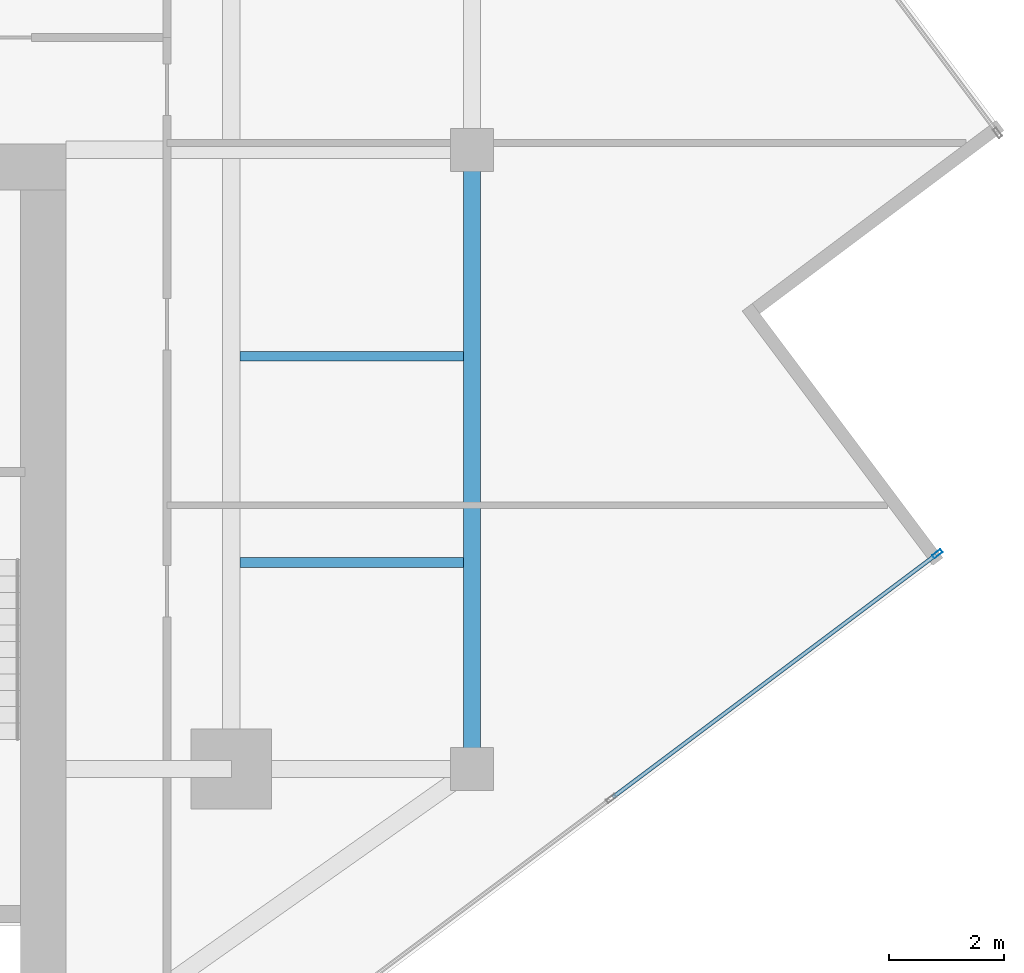
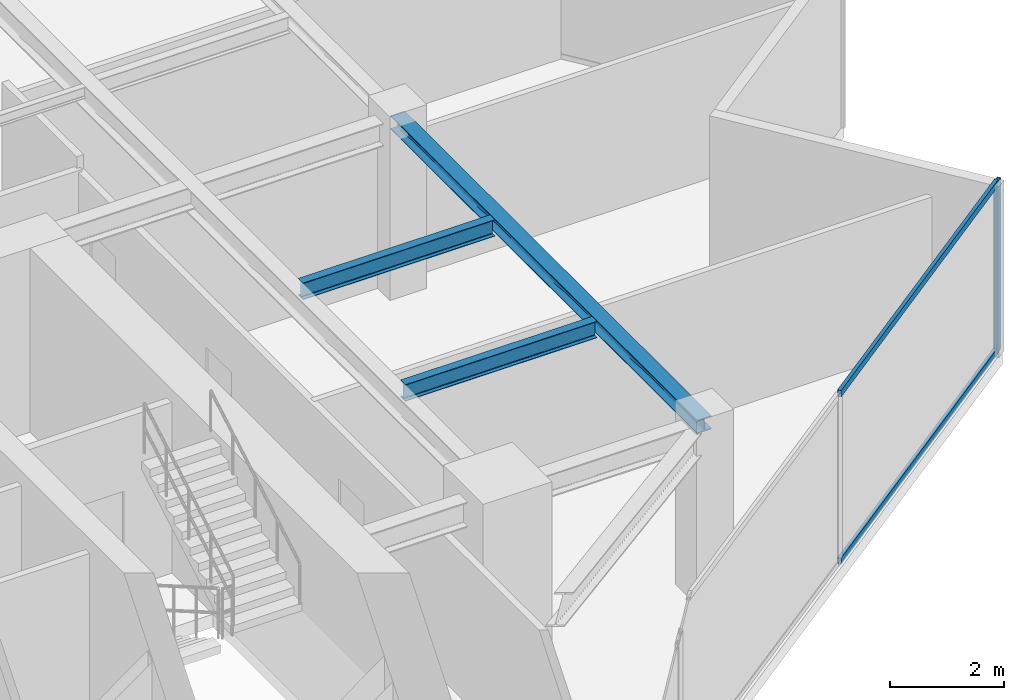
# One storey, part 8 of 21: 3 beams, 3 members, 1 element without a shape of its own.
"""IFC4 building model written with IfcOpenShell, lengths in metres."""

from ifc_helpers import new_model, si_unit, direction, frame, origin, origin_2d, place, context, subcontext, project, spatial, hollow_rectangle, i_section, extrude, source, transform, mapped, material, material_profile, profile_set, type_object, type_shapes, element, aggregate, save


model = new_model("IFC4")

# Units and contexts
model_context = context("Model", 3, precision=1e-05, world=origin(), true_north=direction((0.0, 1.0)))
body_context = subcontext(model_context, "Body", "Model", "MODEL_VIEW")
ifc_project = project(units=[si_unit("LENGTHUNIT", "METRE"), si_unit("AREAUNIT", "SQUARE_METRE"), si_unit("VOLUMEUNIT", "CUBIC_METRE"), si_unit("PLANEANGLEUNIT", "RADIAN"), si_unit("MASSUNIT", "GRAM", prefix="KILO")], contexts=[model_context])

# Site, building, storey
site_placement = place(None, origin())
site = spatial("IfcSite", under=ifc_project, at=site_placement, CompositionType="ELEMENT")
building_placement = place(site_placement, origin())
building = spatial("IfcBuilding", under=site, at=building_placement, Name="Krantzveldt Concourse Tower", CompositionType="ELEMENT")
storey_placement = place(building_placement, frame((0.0, 0.0, 267.39990234375)))
storey = spatial("IfcBuildingStorey", under=building, at=storey_placement, Name="L65", CompositionType="ELEMENT", Elevation=267.39990234375)

# Beams
ifc_material_1 = material(Name="Steel S355JR", Category="steel")
ifc_material_profile_1 = material_profile(ifc_material_1, i_section(OverallWidth=0.2900390625, OverallDepth=0.2900390625, WebThickness=0.008544921875, FlangeThickness=0.013916015625, FilletRadius=0.027099609375, at=origin_2d()), Name="Steel S355JR", Category="steel")
ifc_profile_set_1 = profile_set([ifc_material_profile_1], Name="Steel S355JR - HEA 300")
beam_type_1 = type_object("IfcBeamType", Name="BM-SP-HEA300", PredefinedType="SPANDREL", material=ifc_profile_set_1)
shared_shape_1 = source(origin(), body_context, "Body", "SweptSolid", [
    extrude(i_section(OverallWidth=0.2900390625, OverallDepth=0.2900390625, WebThickness=0.008544921875, FlangeThickness=0.013916015625, FilletRadius=0.027099609375, at=origin_2d()), origin(), (0.0, 0.0, 1.0), 10.800048828125),
])
type_shapes(beam_type_1, [shared_shape_1])
beam_placement = place(storey_placement, frame((51.0, 26.699951171875, 3.525146484375), z_axis=(0.0, -1.0, 0.0), x_axis=(1.0, 0.0, 0.0)))
element("IfcBeam", 1, at=beam_placement, inside=storey, type_object=beam_type_1, Name="L65 Tower Girder SP-R07", PredefinedType="SPANDREL", context=body_context, shape_type="MappedRepresentation", body=[
    mapped(shared_shape_1, transform((0.0, 0.0, 0.0), x_axis=(1.0, 0.0, 0.0), y_axis=(0.0, 1.0, 0.0), z_axis=(0.0, 0.0, 1.0), scale=1.0)),
])
ifc_material_profile_2 = material_profile(ifc_material_1, i_section(OverallWidth=0.169921875, OverallDepth=0.360107421875, WebThickness=0.008056640625, FlangeThickness=0.0126953125, FilletRadius=0.01806640625, at=origin_2d()), Name="Steel S355JR", Category="steel")
ifc_profile_set_2 = profile_set([ifc_material_profile_2], Name="Steel S355JR - IPE 360")
beam_type_2 = type_object("IfcBeamType", Name="BM-J-IPE360", PredefinedType="JOIST", material=ifc_profile_set_2)
shared_shape_2 = source(origin(), body_context, "Body", "SweptSolid", [
    extrude(i_section(OverallWidth=0.169921875, OverallDepth=0.360107421875, WebThickness=0.008056640625, FlangeThickness=0.0126953125, FilletRadius=0.01806640625, at=origin_2d()), origin(), (0.0, 0.0, 1.0), 3.900146484375),
])
type_shapes(beam_type_2, [shared_shape_2])
for number, where, z_axis, x_axis, name in (
    (2, (46.949951171875, 19.5, 3.489990234375), (1.0, 0.0, 0.0), (0.0, 1.0, 0.0), "L65 Secondary Floor Joist JE-1"),
    (3, (46.949951171875, 23.10009765625, 3.489990234375), (1.0, 0.0, 0.0), (0.0, 1.0, 0.0), "L65 Secondary Floor Joist JE-2"),
):
    element("IfcBeam", number, at=place(storey_placement, frame(where, z_axis=z_axis, x_axis=x_axis)), inside=storey, type_object=beam_type_2, Name=name, PredefinedType="JOIST", context=body_context, shape_type="MappedRepresentation", body=[
        mapped(shared_shape_2, transform((0.0, 0.0, 0.0), x_axis=(1.0, 0.0, 0.0), y_axis=(0.0, 1.0, 0.0), z_axis=(0.0, 0.0, 1.0), scale=1.0)),
    ])

# Curtain wall, members
ifc_material_2 = material(Name="Anodised aluminium 6063-T6", Category="aluminium")
curtain_wall_type = type_object("IfcCurtainWallType", Name="CW4", PredefinedType="USERDEFINED", material=ifc_material_2)
curtain_wall_placement = place(storey_placement, origin())
curtain_wall = element("IfcCurtainWall", 4, at=curtain_wall_placement, inside=storey, type_object=curtain_wall_type, Name="CW-L65-F07", ObjectType="UNITISED CURTAIN WALL", PredefinedType="USERDEFINED")
ifc_material_profile_3 = material_profile(ifc_material_2, hollow_rectangle(XDim=0.070068359375, YDim=0.179931640625, WallThickness=0.0048828125, at=origin_2d()), Name="Anodised aluminium 6063-T6", Category="aluminium")
ifc_profile_set_3 = profile_set([ifc_material_profile_3], Name="Anodised aluminium 6063-T6 - ALU-MULL 180x70x5")
member_type_1 = type_object("IfcMemberType", Name="CW-MUL-180", PredefinedType="MULLION", material=ifc_profile_set_3)
shared_shape_3 = source(origin(), body_context, "Body", "SweptSolid", [
    extrude(hollow_rectangle(XDim=0.070068359375, YDim=0.179931640625, WallThickness=0.0048828125, at=origin_2d()), origin(), (0.0, 0.0, 1.0), 3.670166015625),
])
type_shapes(member_type_1, [shared_shape_3])
member_1_placement = place(storey_placement, frame((59.11865234375, 19.653076171875, 0.0), z_axis=(0.0, 0.0, 1.0), x_axis=(-0.600071326292, 0.799946500313, 0.0)))
member_1 = element("IfcMember", 5, at=member_1_placement, type_object=member_type_1, Name="CW-Z56 mullion 5", PredefinedType="MULLION", context=body_context, shape_type="MappedRepresentation", body=[
    mapped(shared_shape_3, transform((0.0, 0.0, 0.0), x_axis=(1.0, 0.0, 0.0), y_axis=(0.0, 1.0, 0.0), z_axis=(0.0, 0.0, 1.0), scale=1.0)),
])
ifc_material_profile_4 = material_profile(ifc_material_2, hollow_rectangle(XDim=0.070068359375, YDim=0.139892578125, WallThickness=0.0048828125, at=origin_2d()), Name="Anodised aluminium 6063-T6", Category="aluminium")
ifc_profile_set_4 = profile_set([ifc_material_profile_4], Name="Anodised aluminium 6063-T6 - ALU-TRAN 140x70x5")
member_type_2 = type_object("IfcMemberType", Name="CW-TRN-150", PredefinedType="USERDEFINED", material=ifc_profile_set_4)
shared_shape_4 = source(origin(), body_context, "Body", "SweptSolid", [
    extrude(hollow_rectangle(XDim=0.070068359375, YDim=0.139892578125, WallThickness=0.0048828125, at=origin_2d()), origin(), (0.0, 0.0, 1.0), 7.044921875),
])
type_shapes(member_type_2, [shared_shape_4])
member_2_placement = place(storey_placement, frame((53.455078125, 15.404541015625, 0.03515625), z_axis=(0.799937616969, 0.600083168368, 0.0), x_axis=(-0.600083168368, 0.799937616969, 0.0)))
member_2 = element("IfcMember", 6, at=member_2_placement, type_object=member_type_2, Name="CW-Z56 transom 4.1", ObjectType="TRANSOM", PredefinedType="USERDEFINED", context=body_context, shape_type="MappedRepresentation", body=[
    mapped(shared_shape_4, transform((0.0, 0.0, 0.0), x_axis=(1.0, 0.0, 0.0), y_axis=(0.0, 1.0, 0.0), z_axis=(0.0, 0.0, 1.0), scale=1.0)),
])
member_3_placement = place(storey_placement, frame((53.455078125, 15.404541015625, 3.635009765625), z_axis=(0.799937616969, 0.600083168368, 0.0), x_axis=(-0.600083168368, 0.799937616969, 0.0)))
member_3 = element("IfcMember", 7, at=member_3_placement, type_object=member_type_2, Name="CW-Z56 transom 4.2", ObjectType="TRANSOM", PredefinedType="USERDEFINED", context=body_context, shape_type="MappedRepresentation", body=[
    mapped(shared_shape_4, transform((0.0, 0.0, 0.0), x_axis=(1.0, 0.0, 0.0), y_axis=(0.0, 1.0, 0.0), z_axis=(0.0, 0.0, 1.0), scale=1.0)),
])
aggregate(curtain_wall, [member_1, member_2, member_3])

save(model, "model.ifc")
